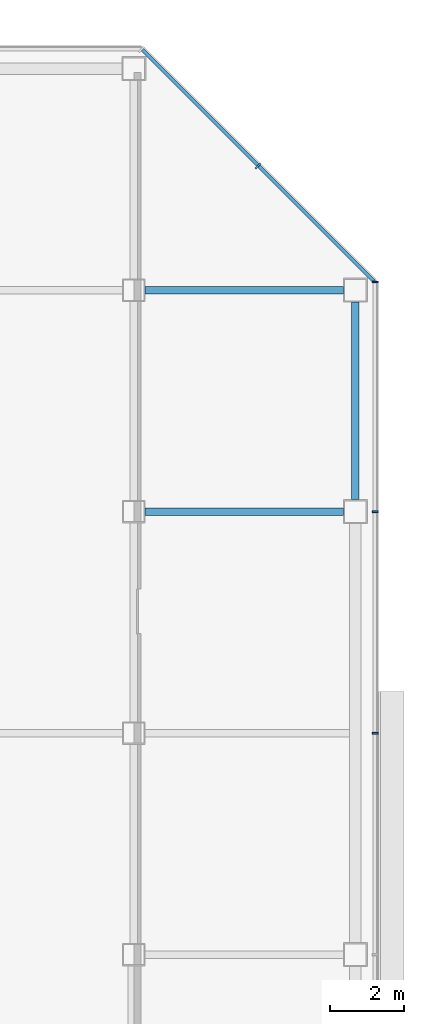
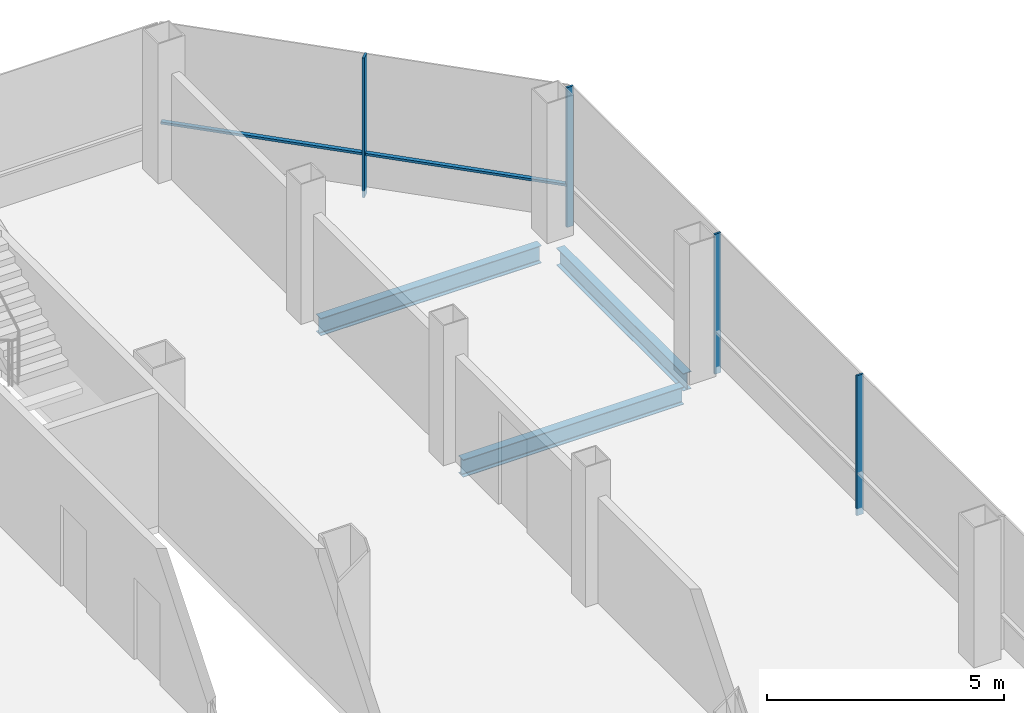
# One storey, part 18 of 27: 5 members, 3 beams, 2 elements without a shape of their own.
"""IFC4 building model written with IfcOpenShell, lengths in metres."""

from ifc_helpers import new_model, si_unit, direction, frame, origin, origin_2d, place, context, subcontext, project, spatial, rectangle, i_section, extrude, material, material_profile, profile_set, type_object, element, aggregate, save


model = new_model("IFC4")

# Units and contexts
model_context = context("Model", 3, precision=1e-05, world=origin(), true_north=direction((0.0, 1.0)))
body_context = subcontext(model_context, "Body", "Model", "MODEL_VIEW")
ifc_project = project(units=[si_unit("LENGTHUNIT", "METRE"), si_unit("AREAUNIT", "SQUARE_METRE"), si_unit("VOLUMEUNIT", "CUBIC_METRE"), si_unit("PLANEANGLEUNIT", "RADIAN"), si_unit("MASSUNIT", "GRAM", prefix="KILO")], contexts=[model_context])

# Site, building, storey
site_placement = place(None, origin())
site = spatial("IfcSite", under=ifc_project, at=site_placement, CompositionType="ELEMENT")
building_placement = place(site_placement, origin())
building = spatial("IfcBuilding", under=site, at=building_placement, Name="Sorahane Residences", CompositionType="ELEMENT")
storey_placement = place(building_placement, frame((0.0, 0.0, 202.800048828125)))
storey = spatial("IfcBuildingStorey", under=building, at=storey_placement, Name="L47", CompositionType="ELEMENT", Elevation=202.800048828125)

# Curtain wall, members
ifc_material_1 = material(Name="Dark low-e glass and black anodised aluminium", Category="aluminium")
curtain_wall_type_1 = type_object("IfcCurtainWallType", Name="Curtain wall CW-1 Typical unitised wall", PredefinedType="NOTDEFINED", material=ifc_material_1)
curtain_wall_1_placement = place(storey_placement, origin())
curtain_wall_1 = element("IfcCurtainWall", 1, at=curtain_wall_1_placement, inside=storey, type_object=curtain_wall_type_1, Name="CW-1 curtain wall L47 E1", PredefinedType="NOTDEFINED")
ifc_material_2 = material(Name="Black anodised aluminium", Category="aluminium")
ifc_material_profile_1 = material_profile(ifc_material_2, rectangle(XDim=0.159912109375, YDim=0.050048828125, at=origin_2d()), Name="Curtain wall mullion CW-1 black anodised aluminium 50x160")
ifc_profile_set_1 = profile_set([ifc_material_profile_1], Name="Black anodised aluminium")
member_type_1 = type_object("IfcMemberType", Name="Curtain wall mullion CW-1 black anodised aluminium 50x160", PredefinedType="MULLION", material=ifc_profile_set_1)
member_1_placement = place(storey_placement, frame((54.5400390625, 30.0, -0.179931640625), z_axis=(0.0, 0.0, 1.0), x_axis=(1.0, 0.0, 0.0)))
member_1 = element("IfcMember", 2, at=member_1_placement, type_object=member_type_1, Name="CW-1 mullion L47 E1.5", PredefinedType="MULLION", context=body_context, shape_type="SweptSolid", body=[
    extrude(rectangle(XDim=0.159912109375, YDim=0.050048828125, at=origin_2d()), origin(), (0.0, 0.0, 1.0), 3.599853515625),
])
member_2_placement = place(storey_placement, frame((54.5400390625, 36.0, -0.179931640625), z_axis=(0.0, 0.0, 1.0), x_axis=(1.0, 0.0, 0.0)))
member_2 = element("IfcMember", 3, at=member_2_placement, type_object=member_type_1, Name="CW-1 mullion L47 E1.6", PredefinedType="MULLION", context=body_context, shape_type="SweptSolid", body=[
    extrude(rectangle(XDim=0.159912109375, YDim=0.050048828125, at=origin_2d()), origin(), (0.0, 0.0, 1.0), 3.599853515625),
])
member_3_placement = place(storey_placement, frame((54.5400390625, 42.2236328125, -0.179931640625), z_axis=(0.0, 0.0, 1.0), x_axis=(1.0, 0.0, 0.0)))
member_3 = element("IfcMember", 4, at=member_3_placement, type_object=member_type_1, Name="CW-1 mullion L47 E1.7", PredefinedType="MULLION", context=body_context, shape_type="SweptSolid", body=[
    extrude(rectangle(XDim=0.159912109375, YDim=0.050048828125, at=origin_2d()), origin(), (0.0, 0.0, 1.0), 3.599853515625),
])
aggregate(curtain_wall_1, [member_1, member_2, member_3])

ifc_material_3 = material(Name="Dark low-e glass and black anodised aluminium", Category="aluminium")
curtain_wall_type_2 = type_object("IfcCurtainWallType", Name="Curtain wall CW-2 Chamfer unitised wall", PredefinedType="NOTDEFINED", material=ifc_material_3)
curtain_wall_2_placement = place(storey_placement, origin())
curtain_wall_2 = element("IfcCurtainWall", 5, at=curtain_wall_2_placement, inside=storey, type_object=curtain_wall_type_2, Name="CW-2 curtain wall L47 NE1", PredefinedType="NOTDEFINED")
ifc_material_4 = material(Name="Black anodised aluminium", Category="aluminium")
ifc_material_profile_2 = material_profile(ifc_material_4, rectangle(XDim=0.199951171875, YDim=0.050048828125, at=origin_2d()), Name="Curtain wall mullion CW-2 black anodised aluminium 50x200")
ifc_profile_set_2 = profile_set([ifc_material_profile_2], Name="Black anodised aluminium")
member_type_2 = type_object("IfcMemberType", Name="Curtain wall mullion CW-2 black anodised aluminium 50x200", PredefinedType="MULLION", material=ifc_profile_set_2)
member_4_placement = place(storey_placement, frame((51.36767578125, 45.36767578125, -0.179931640625), z_axis=(0.0, 0.0, 1.0), x_axis=(0.707106781187, 0.707106781187, 0.0)))
member_4 = element("IfcMember", 6, at=member_4_placement, type_object=member_type_2, Name="CW-2 mullion L47 NE1.2", PredefinedType="MULLION", context=body_context, shape_type="SweptSolid", body=[
    extrude(rectangle(XDim=0.199951171875, YDim=0.050048828125, at=origin_2d()), origin(), (0.0, 0.0, 1.0), 3.599853515625),
])
ifc_material_5 = material(Name="Black anodised aluminium", Category="aluminium")
ifc_material_profile_3 = material_profile(ifc_material_5, rectangle(XDim=0.10009765625, YDim=0.06005859375, at=origin_2d()), Name="Curtain wall transom CW-2 black anodised aluminium 60x100")
ifc_profile_set_3 = profile_set([ifc_material_profile_3], Name="Black anodised aluminium")
member_type_3 = type_object("IfcMemberType", Name="Curtain wall transom CW-2 black anodised aluminium 60x100", PredefinedType="USERDEFINED", material=ifc_profile_set_3)
member_5_placement = place(storey_placement, frame((54.51513671875, 42.234375, 0.89990234375), z_axis=(-0.707106781187, 0.707106781187, 0.0), x_axis=(-0.707106781187, -0.707106781187, 0.0)))
member_5 = element("IfcMember", 7, at=member_5_placement, type_object=member_type_3, Name="CW-2 transom L47 NE1", ObjectType="TRANSOM", PredefinedType="USERDEFINED", context=body_context, shape_type="SweptSolid", body=[
    extrude(rectangle(XDim=0.10009765625, YDim=0.06005859375, at=origin_2d()), origin(), (0.0, 0.0, 1.0), 8.88232421875),
])
aggregate(curtain_wall_2, [member_4, member_5])

# Beams
ifc_material_6 = material(Name="Steel Q355B", Category="steel")
ifc_material_profile_4 = material_profile(ifc_material_6, i_section(OverallWidth=0.199951171875, OverallDepth=0.449951171875, WebThickness=0.009033203125, FlangeThickness=0.013916015625, FilletRadius=0.02001953125, at=origin_2d()), Name="HN 450x200x9x14")
ifc_profile_set_4 = profile_set([ifc_material_profile_4], Name="Steel Q355B")
beam_type = type_object("IfcBeamType", Name="Steel floor beam HN 450x200x9x14 Q355B", PredefinedType="BEAM", material=ifc_profile_set_4)
beam_1_placement = place(storey_placement, frame((48.300048828125, 36.0, -0.405029296875), z_axis=(1.0, 0.0, 0.0), x_axis=(0.0, 1.0, 0.0)))
element("IfcBeam", 8, at=beam_1_placement, inside=storey, type_object=beam_type, Name="Beam L47 014", PredefinedType="BEAM", context=body_context, shape_type="SweptSolid", body=[
    extrude(i_section(OverallWidth=0.199951171875, OverallDepth=0.449951171875, WebThickness=0.009033203125, FlangeThickness=0.013916015625, FilletRadius=0.02001953125, at=origin_2d()), origin(), (0.0, 0.0, 1.0), 5.375),
])
beam_2_placement = place(storey_placement, frame((54.0, 36.324951171875, -0.405029296875), z_axis=(0.0, 1.0, 0.0), x_axis=(-1.0, 0.0, 0.0)))
element("IfcBeam", 9, at=beam_2_placement, inside=storey, type_object=beam_type, Name="Beam L47 067", PredefinedType="BEAM", context=body_context, shape_type="SweptSolid", body=[
    extrude(i_section(OverallWidth=0.199951171875, OverallDepth=0.449951171875, WebThickness=0.009033203125, FlangeThickness=0.013916015625, FilletRadius=0.02001953125, at=origin_2d()), origin(), (0.0, 0.0, 1.0), 5.35009765625),
])
beam_3_placement = place(storey_placement, frame((48.300048828125, 42.0, -0.405029296875), z_axis=(1.0, 0.0, 0.0), x_axis=(0.0, 1.0, 0.0)))
element("IfcBeam", 10, at=beam_3_placement, inside=storey, type_object=beam_type, Name="Beam L47 092", PredefinedType="BEAM", context=body_context, shape_type="SweptSolid", body=[
    extrude(i_section(OverallWidth=0.199951171875, OverallDepth=0.449951171875, WebThickness=0.009033203125, FlangeThickness=0.013916015625, FilletRadius=0.02001953125, at=origin_2d()), origin(), (0.0, 0.0, 1.0), 5.375),
])

save(model, "model.ifc")
